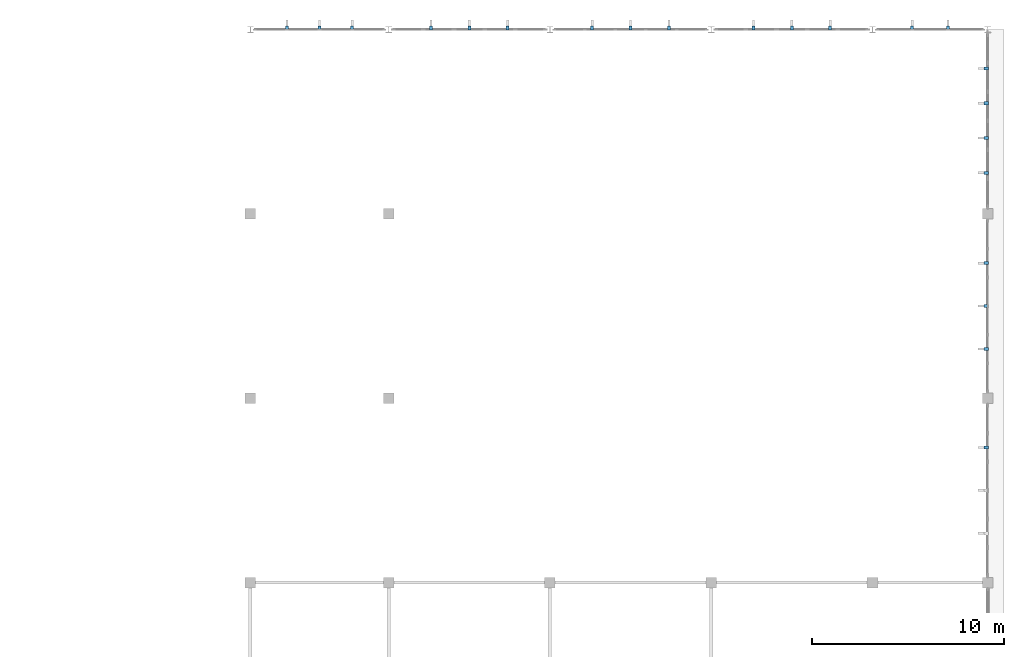
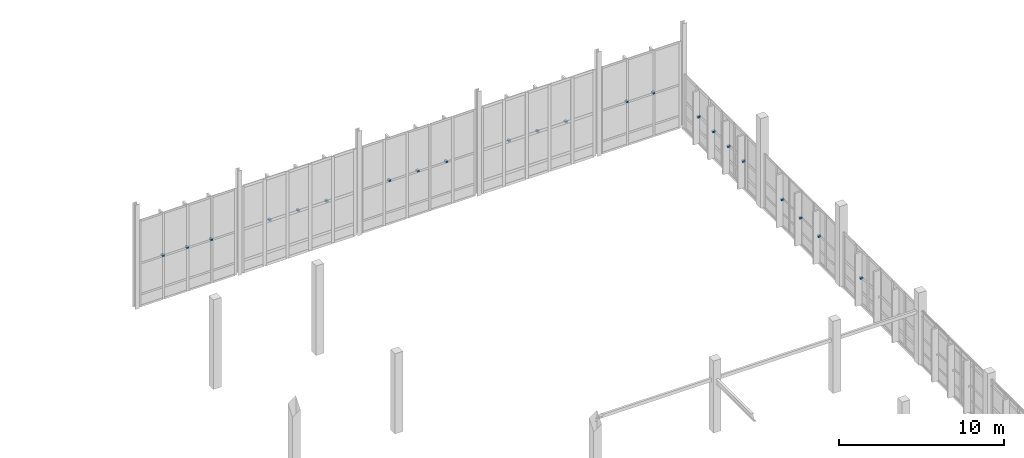
# One storey, part 53 of 67: 22 discrete accessories.
"""IFC4 building model written with IfcOpenShell, lengths in metres."""

from ifc_helpers import new_model, si_unit, direction, frame, origin, origin_2d, place, context, subcontext, project, spatial, rectangle, extrude, material, type_object, element, save


model = new_model("IFC4")

# Units and contexts
model_context = context("Model", 3, precision=1e-05, world=origin(), true_north=direction((0.0, 1.0)))
body_context = subcontext(model_context, "Body", "Model", "MODEL_VIEW")
ifc_project = project(units=[si_unit("LENGTHUNIT", "METRE"), si_unit("AREAUNIT", "SQUARE_METRE"), si_unit("VOLUMEUNIT", "CUBIC_METRE"), si_unit("PLANEANGLEUNIT", "RADIAN"), si_unit("MASSUNIT", "GRAM", prefix="KILO")], contexts=[model_context])

# Site, building, storey
site_placement = place(None, origin())
site = spatial("IfcSite", under=ifc_project, at=site_placement, CompositionType="ELEMENT")
building_placement = place(site_placement, origin())
building = spatial("IfcBuilding", under=site, at=building_placement, Name="Tizgana Railside Sports Hall", CompositionType="ELEMENT")
storey_placement = place(building_placement, frame((0.0, 0.0, 12.0)))
storey = spatial("IfcBuildingStorey", under=building, at=storey_placement, Name="L02", CompositionType="ELEMENT", Elevation=12.0)

# Discrete accessories
ifc_material = material(Name="Steel S355J2", Category="steel")
discrete_accessory_type = type_object("IfcDiscreteAccessoryType", Name="Stainless Facade Support Bracket", PredefinedType="BRACKET", material=ifc_material)
for number, where, z_axis, x_axis, name in (
    (1, (135.702392578125, 117.679931640625, 3.139892578125), (0.0, 0.0, 1.0), (1.0, 0.0, 0.0), "L02 Fin Bracket"),
    (2, (137.39990234375, 117.679931640625, 3.139892578125), (0.0, 0.0, 1.0), (1.0, 0.0, 0.0), "L02 Fin Bracket"),
    (3, (139.097412109375, 117.679931640625, 3.139892578125), (0.0, 0.0, 1.0), (1.0, 0.0, 0.0), "L02 Fin Bracket"),
    (4, (143.202392578125, 117.679931640625, 3.139892578125), (0.0, 0.0, 1.0), (1.0, 0.0, 0.0), "L02 Fin Bracket"),
    (5, (145.199951171875, 117.679931640625, 3.139892578125), (0.0, 0.0, 1.0), (1.0, 0.0, 0.0), "L02 Fin Bracket"),
    (6, (147.197509765625, 117.679931640625, 3.139892578125), (0.0, 0.0, 1.0), (1.0, 0.0, 0.0), "L02 Fin Bracket"),
    (7, (151.6025390625, 117.679931640625, 3.139892578125), (0.0, 0.0, 1.0), (1.0, 0.0, 0.0), "L02 Fin Bracket"),
    (8, (153.60009765625, 117.679931640625, 3.139892578125), (0.0, 0.0, 1.0), (1.0, 0.0, 0.0), "L02 Fin Bracket"),
    (9, (155.597412109375, 117.679931640625, 3.139892578125), (0.0, 0.0, 1.0), (1.0, 0.0, 0.0), "L02 Fin Bracket"),
    (10, (160.00244140625, 117.679931640625, 3.139892578125), (0.0, 0.0, 1.0), (1.0, 0.0, 0.0), "L02 Fin Bracket"),
    (11, (162.0, 117.679931640625, 3.139892578125), (0.0, 0.0, 1.0), (1.0, 0.0, 0.0), "L02 Fin Bracket"),
    (12, (163.99755859375, 117.679931640625, 3.139892578125), (0.0, 0.0, 1.0), (1.0, 0.0, 0.0), "L02 Fin Bracket"),
    (13, (168.268310546875, 117.679931640625, 3.139892578125), (0.0, 0.0, 1.0), (1.0, 0.0, 0.0), "L02 Fin Bracket"),
    (14, (170.131591796875, 117.679931640625, 3.139892578125), (0.0, 0.0, 1.0), (1.0, 0.0, 0.0), "L02 Fin Bracket"),
    (15, (172.1201171875, 95.8349609375, 1.93994140625), (0.0, 0.0, 1.0), (0.0, 1.0, 0.0), "L02 Fin Bracket"),
    (16, (172.1201171875, 100.965087890625, 1.93994140625), (0.0, 0.0, 1.0), (0.0, 1.0, 0.0), "L02 Fin Bracket"),
    (17, (172.1201171875, 103.199951171875, 1.93994140625), (0.0, 0.0, 1.0), (0.0, 1.0, 0.0), "L02 Fin Bracket"),
    (18, (172.1201171875, 105.43505859375, 1.93994140625), (0.0, 0.0, 1.0), (0.0, 1.0, 0.0), "L02 Fin Bracket"),
    (19, (172.1201171875, 110.14111328125, 1.93994140625), (0.0, 0.0, 1.0), (0.0, 1.0, 0.0), "L02 Fin Bracket"),
    (20, (172.1201171875, 111.951904296875, 1.93994140625), (0.0, 0.0, 1.0), (0.0, 1.0, 0.0), "L02 Fin Bracket"),
    (21, (172.1201171875, 113.762939453125, 1.93994140625), (0.0, 0.0, 1.0), (0.0, 1.0, 0.0), "L02 Fin Bracket"),
    (22, (172.1201171875, 115.573974609375, 1.93994140625), (0.0, 0.0, 1.0), (0.0, 1.0, 0.0), "L02 Fin Bracket"),
):
    element("IfcDiscreteAccessory", number, at=place(storey_placement, frame(where, z_axis=z_axis, x_axis=x_axis)), inside=storey, type_object=discrete_accessory_type, Name=name, PredefinedType="BRACKET", context=body_context, shape_type="SweptSolid", body=[
        extrude(rectangle(XDim=0.159912109375, YDim=0.219970703125, at=origin_2d()), origin(), (0.0, 0.0, 1.0), 0.1201171875),
    ])

save(model, "model.ifc")
